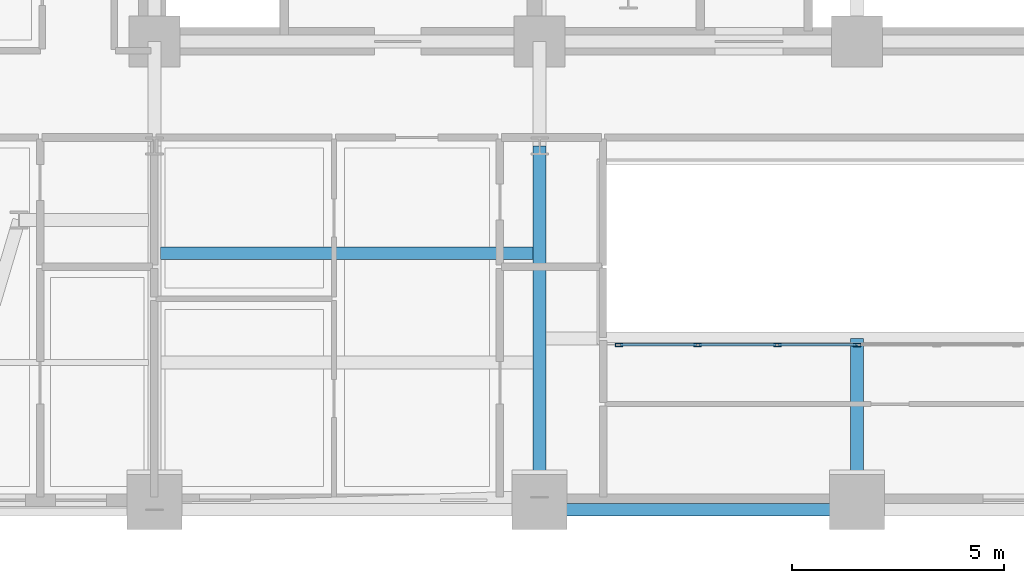
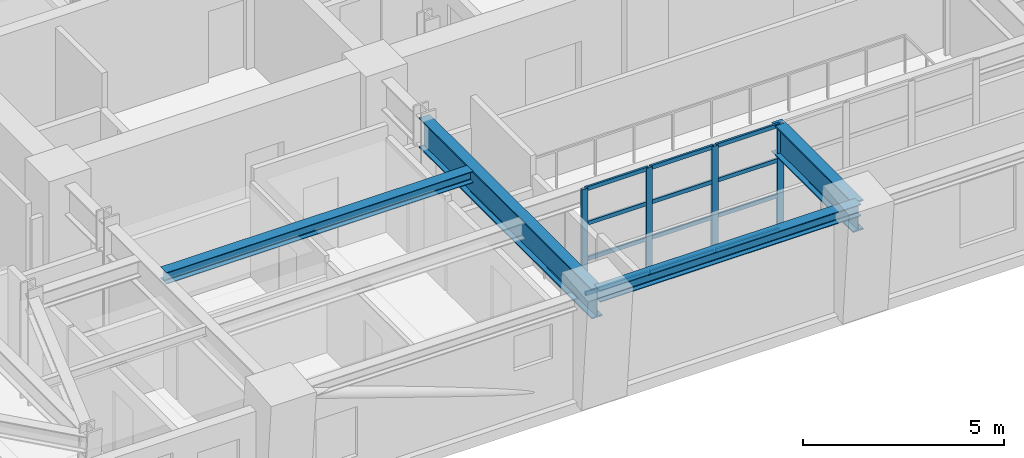
# One storey, part 2 of 16: 16 members, 4 beams, 1 element without a shape of its own.
"""IFC4 building model written with IfcOpenShell, lengths in metres."""

from ifc_helpers import new_model, si_unit, direction, frame, origin, origin_2d, place, context, subcontext, project, spatial, hollow_rectangle, i_section, extrude, material, layer, layer_set, material_profile, profile_set, type_object, element, aggregate, save


model = new_model("IFC4")

# Units and contexts
model_context = context("Model", 3, precision=1e-05, world=origin(), true_north=direction((0.0, 1.0)))
body_context = subcontext(model_context, "Body", "Model", "MODEL_VIEW")
ifc_project = project(units=[si_unit("LENGTHUNIT", "METRE"), si_unit("AREAUNIT", "SQUARE_METRE"), si_unit("VOLUMEUNIT", "CUBIC_METRE"), si_unit("PLANEANGLEUNIT", "RADIAN"), si_unit("MASSUNIT", "GRAM", prefix="KILO")], contexts=[model_context])

# Site, building, storey
site_placement = place(None, origin())
site = spatial("IfcSite", under=ifc_project, at=site_placement, CompositionType="ELEMENT")
building_placement = place(site_placement, origin())
building = spatial("IfcBuilding", under=site, at=building_placement, Name="Zarnavel Station Tower", CompositionType="ELEMENT")
storey_placement = place(building_placement, frame((0.0, 0.0, 101.300048828125)))
storey = spatial("IfcBuildingStorey", under=building, at=storey_placement, Name="L27", CompositionType="ELEMENT", Elevation=101.300048828125)

# Curtain wall, members
ifc_material_1 = material(Name="Aluminium Dark Anodised and Solar-Control Glass", Category="aluminium")
ifc_layer = layer(ifc_material_1, 0.179931640625)
ifc_layer_set = layer_set([ifc_layer], Name="CWS3")
curtain_wall_type = type_object("IfcCurtainWallType", Name="CWS3", PredefinedType="NOTDEFINED", material=ifc_layer_set)
curtain_wall_placement = place(storey_placement, origin())
curtain_wall = element("IfcCurtainWall", 1, at=curtain_wall_placement, inside=storey, type_object=curtain_wall_type, Name="L27 Curtain Wall CWS3-L27-AS", PredefinedType="NOTDEFINED")
ifc_material_2 = material(Name="Steel S355J2 (Black Fluoropolymer Coated)", Category="steel")
ifc_material_profile_1 = material_profile(ifc_material_2, hollow_rectangle(XDim=0.080078125, YDim=0.179931640625, WallThickness=0.00634765625, at=origin_2d()), Name="RHS180x80x6.3")
ifc_profile_set_1 = profile_set([ifc_material_profile_1], Name="Steel S355J2 (Black Fluoropolymer Coated)")
member_type_1 = type_object("IfcMemberType", Name="CWS3_MUL", PredefinedType="MULLION", material=ifc_profile_set_1)
member_1_placement = place(storey_placement, frame((23.179931640625, 20.64990234375, 0.0), z_axis=(0.0, 0.0, 1.0), x_axis=(0.0, 1.0, 0.0)))
member_1 = element("IfcMember", 2, at=member_1_placement, type_object=member_type_1, Name="CW3 mullion 1", PredefinedType="MULLION", context=body_context, shape_type="SweptSolid", body=[
    extrude(hollow_rectangle(XDim=0.080078125, YDim=0.179931640625, WallThickness=0.00634765625, at=origin_2d()), origin(), (0.0, 0.0, 1.0), 3.239990234375),
])
member_2_placement = place(storey_placement, frame((25.033447265625, 20.64990234375, 0.0), z_axis=(0.0, 0.0, 1.0), x_axis=(0.0, 1.0, 0.0)))
member_2 = element("IfcMember", 3, at=member_2_placement, type_object=member_type_1, Name="CW3 mullion 2", PredefinedType="MULLION", context=body_context, shape_type="SweptSolid", body=[
    extrude(hollow_rectangle(XDim=0.080078125, YDim=0.179931640625, WallThickness=0.00634765625, at=origin_2d()), origin(), (0.0, 0.0, 1.0), 3.239990234375),
])
member_3_placement = place(storey_placement, frame((26.916748046875, 20.64990234375, 0.0), z_axis=(0.0, 0.0, 1.0), x_axis=(0.0, 1.0, 0.0)))
member_3 = element("IfcMember", 4, at=member_3_placement, type_object=member_type_1, Name="CW3 mullion 3", PredefinedType="MULLION", context=body_context, shape_type="SweptSolid", body=[
    extrude(hollow_rectangle(XDim=0.080078125, YDim=0.179931640625, WallThickness=0.00634765625, at=origin_2d()), origin(), (0.0, 0.0, 1.0), 3.239990234375),
])
member_4_placement = place(storey_placement, frame((28.800048828125, 20.64990234375, 0.0), z_axis=(0.0, 0.0, 1.0), x_axis=(0.0, 1.0, 0.0)))
member_4 = element("IfcMember", 5, at=member_4_placement, type_object=member_type_1, Name="CW3 mullion 4", PredefinedType="MULLION", context=body_context, shape_type="SweptSolid", body=[
    extrude(hollow_rectangle(XDim=0.080078125, YDim=0.179931640625, WallThickness=0.00634765625, at=origin_2d()), origin(), (0.0, 0.0, 1.0), 3.239990234375),
])
ifc_material_3 = material(Name="Steel S355J2 (Black Fluoropolymer Coated)", Category="steel")
ifc_material_profile_2 = material_profile(ifc_material_3, hollow_rectangle(XDim=0.06005859375, YDim=0.1201171875, WallThickness=0.0048828125, at=origin_2d()), Name="RHS120x60x5")
ifc_profile_set_2 = profile_set([ifc_material_profile_2], Name="Steel S355J2 (Black Fluoropolymer Coated)")
member_type_2 = type_object("IfcMemberType", Name="CWS3_TRN", PredefinedType="USERDEFINED", material=ifc_profile_set_2)
member_5_placement = place(storey_placement, frame((23.2099609375, 20.64990234375, 0.030029296875), z_axis=(1.0, 0.0, 0.0), x_axis=(0.0, 1.0, 0.0)))
member_5 = element("IfcMember", 6, at=member_5_placement, type_object=member_type_2, Name="CW3 transom 1.1", ObjectType="TRANSOM", PredefinedType="USERDEFINED", context=body_context, shape_type="SweptSolid", body=[
    extrude(hollow_rectangle(XDim=0.06005859375, YDim=0.1201171875, WallThickness=0.0048828125, at=origin_2d()), origin(), (0.0, 0.0, 1.0), 1.79345703125),
])
member_6_placement = place(storey_placement, frame((23.2099609375, 20.64990234375, 1.079833984375), z_axis=(1.0, 0.0, 0.0), x_axis=(0.0, 1.0, 0.0)))
member_6 = element("IfcMember", 7, at=member_6_placement, type_object=member_type_2, Name="CW3 transom 1.2", ObjectType="TRANSOM", PredefinedType="USERDEFINED", context=body_context, shape_type="SweptSolid", body=[
    extrude(hollow_rectangle(XDim=0.06005859375, YDim=0.1201171875, WallThickness=0.0048828125, at=origin_2d()), origin(), (0.0, 0.0, 1.0), 1.79345703125),
])
member_7_placement = place(storey_placement, frame((23.2099609375, 20.64990234375, 2.159912109375), z_axis=(1.0, 0.0, 0.0), x_axis=(0.0, 1.0, 0.0)))
member_7 = element("IfcMember", 8, at=member_7_placement, type_object=member_type_2, Name="CW3 transom 1.3", ObjectType="TRANSOM", PredefinedType="USERDEFINED", context=body_context, shape_type="SweptSolid", body=[
    extrude(hollow_rectangle(XDim=0.06005859375, YDim=0.1201171875, WallThickness=0.0048828125, at=origin_2d()), origin(), (0.0, 0.0, 1.0), 1.79345703125),
])
member_8_placement = place(storey_placement, frame((23.2099609375, 20.64990234375, 3.2099609375), z_axis=(1.0, 0.0, 0.0), x_axis=(0.0, 1.0, 0.0)))
member_8 = element("IfcMember", 9, at=member_8_placement, type_object=member_type_2, Name="CW3 transom 1.4", ObjectType="TRANSOM", PredefinedType="USERDEFINED", context=body_context, shape_type="SweptSolid", body=[
    extrude(hollow_rectangle(XDim=0.06005859375, YDim=0.1201171875, WallThickness=0.0048828125, at=origin_2d()), origin(), (0.0, 0.0, 1.0), 1.79345703125),
])
member_9_placement = place(storey_placement, frame((25.063232421875, 20.64990234375, 0.030029296875), z_axis=(1.0, 0.0, 0.0), x_axis=(0.0, 1.0, 0.0)))
member_9 = element("IfcMember", 10, at=member_9_placement, type_object=member_type_2, Name="CW3 transom 2.1", ObjectType="TRANSOM", PredefinedType="USERDEFINED", context=body_context, shape_type="SweptSolid", body=[
    extrude(hollow_rectangle(XDim=0.06005859375, YDim=0.1201171875, WallThickness=0.0048828125, at=origin_2d()), origin(), (0.0, 0.0, 1.0), 1.823486328125),
])
member_10_placement = place(storey_placement, frame((25.063232421875, 20.64990234375, 1.079833984375), z_axis=(1.0, 0.0, 0.0), x_axis=(0.0, 1.0, 0.0)))
member_10 = element("IfcMember", 11, at=member_10_placement, type_object=member_type_2, Name="CW3 transom 2.2", ObjectType="TRANSOM", PredefinedType="USERDEFINED", context=body_context, shape_type="SweptSolid", body=[
    extrude(hollow_rectangle(XDim=0.06005859375, YDim=0.1201171875, WallThickness=0.0048828125, at=origin_2d()), origin(), (0.0, 0.0, 1.0), 1.823486328125),
])
member_11_placement = place(storey_placement, frame((25.063232421875, 20.64990234375, 2.159912109375), z_axis=(1.0, 0.0, 0.0), x_axis=(0.0, 1.0, 0.0)))
member_11 = element("IfcMember", 12, at=member_11_placement, type_object=member_type_2, Name="CW3 transom 2.3", ObjectType="TRANSOM", PredefinedType="USERDEFINED", context=body_context, shape_type="SweptSolid", body=[
    extrude(hollow_rectangle(XDim=0.06005859375, YDim=0.1201171875, WallThickness=0.0048828125, at=origin_2d()), origin(), (0.0, 0.0, 1.0), 1.823486328125),
])
member_12_placement = place(storey_placement, frame((25.063232421875, 20.64990234375, 3.2099609375), z_axis=(1.0, 0.0, 0.0), x_axis=(0.0, 1.0, 0.0)))
member_12 = element("IfcMember", 13, at=member_12_placement, type_object=member_type_2, Name="CW3 transom 2.4", ObjectType="TRANSOM", PredefinedType="USERDEFINED", context=body_context, shape_type="SweptSolid", body=[
    extrude(hollow_rectangle(XDim=0.06005859375, YDim=0.1201171875, WallThickness=0.0048828125, at=origin_2d()), origin(), (0.0, 0.0, 1.0), 1.823486328125),
])
member_13_placement = place(storey_placement, frame((26.94677734375, 20.64990234375, 0.030029296875), z_axis=(1.0, 0.0, 0.0), x_axis=(0.0, 1.0, 0.0)))
member_13 = element("IfcMember", 14, at=member_13_placement, type_object=member_type_2, Name="CW3 transom 3.1", ObjectType="TRANSOM", PredefinedType="USERDEFINED", context=body_context, shape_type="SweptSolid", body=[
    extrude(hollow_rectangle(XDim=0.06005859375, YDim=0.1201171875, WallThickness=0.0048828125, at=origin_2d()), origin(), (0.0, 0.0, 1.0), 1.8232421875),
])
member_14_placement = place(storey_placement, frame((26.94677734375, 20.64990234375, 1.079833984375), z_axis=(1.0, 0.0, 0.0), x_axis=(0.0, 1.0, 0.0)))
member_14 = element("IfcMember", 15, at=member_14_placement, type_object=member_type_2, Name="CW3 transom 3.2", ObjectType="TRANSOM", PredefinedType="USERDEFINED", context=body_context, shape_type="SweptSolid", body=[
    extrude(hollow_rectangle(XDim=0.06005859375, YDim=0.1201171875, WallThickness=0.0048828125, at=origin_2d()), origin(), (0.0, 0.0, 1.0), 1.8232421875),
])
member_15_placement = place(storey_placement, frame((26.94677734375, 20.64990234375, 2.159912109375), z_axis=(1.0, 0.0, 0.0), x_axis=(0.0, 1.0, 0.0)))
member_15 = element("IfcMember", 16, at=member_15_placement, type_object=member_type_2, Name="CW3 transom 3.3", ObjectType="TRANSOM", PredefinedType="USERDEFINED", context=body_context, shape_type="SweptSolid", body=[
    extrude(hollow_rectangle(XDim=0.06005859375, YDim=0.1201171875, WallThickness=0.0048828125, at=origin_2d()), origin(), (0.0, 0.0, 1.0), 1.8232421875),
])
member_16_placement = place(storey_placement, frame((26.94677734375, 20.64990234375, 3.2099609375), z_axis=(1.0, 0.0, 0.0), x_axis=(0.0, 1.0, 0.0)))
member_16 = element("IfcMember", 17, at=member_16_placement, type_object=member_type_2, Name="CW3 transom 3.4", ObjectType="TRANSOM", PredefinedType="USERDEFINED", context=body_context, shape_type="SweptSolid", body=[
    extrude(hollow_rectangle(XDim=0.06005859375, YDim=0.1201171875, WallThickness=0.0048828125, at=origin_2d()), origin(), (0.0, 0.0, 1.0), 1.8232421875),
])
aggregate(curtain_wall, [member_1, member_2, member_3, member_4, member_5, member_6, member_7, member_8, member_9, member_10, member_11, member_12, member_13, member_14, member_15, member_16])

# Beams
ifc_material_4 = material(Name="Steel S355J2", Category="steel")
ifc_material_profile_3 = material_profile(ifc_material_4, i_section(OverallWidth=0.300048828125, OverallDepth=0.360107421875, WebThickness=0.012451171875, FlangeThickness=0.0224609375, FilletRadius=0.027099609375, at=origin_2d()), Name="HEB360")
ifc_profile_set_3 = profile_set([ifc_material_profile_3], Name="Steel S355J2")
beam_type_1 = type_object("IfcBeamType", Name="EB_HEB360", PredefinedType="SPANDREL", material=ifc_profile_set_3)
beam_1_placement = place(storey_placement, frame((21.300048828125, 16.754638671875, 3.06005859375), z_axis=(1.0, 0.0, 0.0), x_axis=(0.0, 1.0, 0.0)))
element("IfcBeam", 18, at=beam_1_placement, inside=storey, type_object=beam_type_1, Name="L27 South Raked Spandrel 2", PredefinedType="SPANDREL", context=body_context, shape_type="SweptSolid", body=[
    extrude(i_section(OverallWidth=0.300048828125, OverallDepth=0.360107421875, WebThickness=0.012451171875, FlangeThickness=0.0224609375, FilletRadius=0.027099609375, at=origin_2d()), origin(), (0.0, 0.0, 1.0), 7.5),
])
ifc_material_5 = material(Name="Steel S355J2", Category="steel")
ifc_material_profile_4 = material_profile(ifc_material_5, i_section(OverallWidth=0.300048828125, OverallDepth=0.35009765625, WebThickness=0.010009765625, FlangeThickness=0.017578125, FilletRadius=0.027099609375, at=origin_2d()), Name="HEA360")
ifc_profile_set_4 = profile_set([ifc_material_profile_4], Name="Steel S355J2")
beam_type_2 = type_object("IfcBeamType", Name="FB_HEA360", PredefinedType="BEAM", material=ifc_profile_set_4)
beam_2_placement = place(storey_placement, frame((12.344970703125, 22.818115234375, 3.06494140625), z_axis=(1.0, 0.0, 0.0), x_axis=(0.0, 1.0, 0.0)))
element("IfcBeam", 19, at=beam_2_placement, inside=storey, type_object=beam_type_2, Name="L27 West Bay Beam 2", PredefinedType="BEAM", context=body_context, shape_type="SweptSolid", body=[
    extrude(i_section(OverallWidth=0.300048828125, OverallDepth=0.35009765625, WebThickness=0.010009765625, FlangeThickness=0.017578125, FilletRadius=0.027099609375, at=origin_2d()), origin(), (0.0, 0.0, 1.0), 8.81005859375),
])
ifc_material_6 = material(Name="Steel S460M", Category="steel")
ifc_material_profile_5 = material_profile(ifc_material_6, i_section(OverallWidth=0.302001953125, OverallDepth=0.909912109375, WebThickness=0.02099609375, FlangeThickness=0.0400390625, FilletRadius=0.030029296875, at=origin_2d()), Name="HEM900")
ifc_profile_set_5 = profile_set([ifc_material_profile_5], Name="Steel S460M")
beam_type_3 = type_object("IfcBeamType", Name="TG_HEM900", PredefinedType="USERDEFINED", material=ifc_profile_set_5)
beam_3_placement = place(storey_placement, frame((21.300048828125, 16.754638671875, 2.784912109375), z_axis=(0.0, 1.0, 0.0), x_axis=(-1.0, 0.0, 0.0)))
element("IfcBeam", 20, at=beam_3_placement, inside=storey, type_object=beam_type_3, Name="L27 South-Zone NS Girder 2", ObjectType="GIRDER", PredefinedType="USERDEFINED", context=body_context, shape_type="SweptSolid", body=[
    extrude(i_section(OverallWidth=0.302001953125, OverallDepth=0.909912109375, WebThickness=0.02099609375, FlangeThickness=0.0400390625, FilletRadius=0.030029296875, at=origin_2d()), origin(), (0.0, 0.0, 1.0), 8.595458984375),
])
beam_4_placement = place(storey_placement, frame((28.800048828125, 16.754638671875, 2.784912109375), z_axis=(0.0, 1.0, 0.0), x_axis=(-1.0, 0.0, 0.0)))
element("IfcBeam", 21, at=beam_4_placement, inside=storey, type_object=beam_type_3, Name="L27 Central Atrium-South Girder", ObjectType="GIRDER", PredefinedType="USERDEFINED", context=body_context, shape_type="SweptSolid", body=[
    extrude(i_section(OverallWidth=0.302001953125, OverallDepth=0.909912109375, WebThickness=0.02099609375, FlangeThickness=0.0400390625, FilletRadius=0.030029296875, at=origin_2d()), origin(), (0.0, 0.0, 1.0), 4.04541015625),
])

save(model, "model.ifc")
